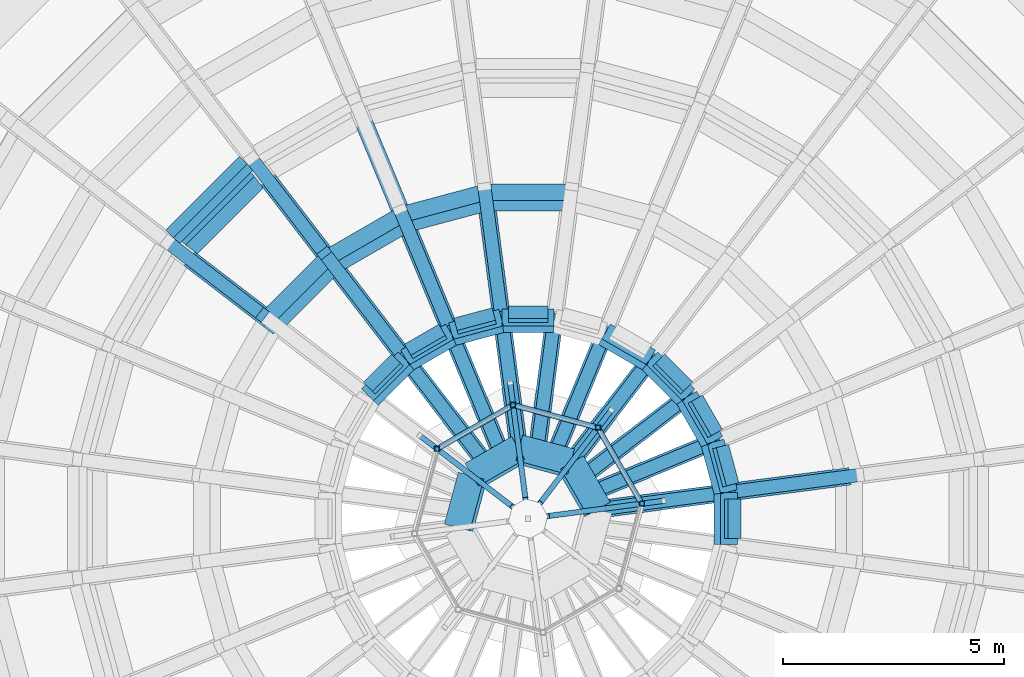
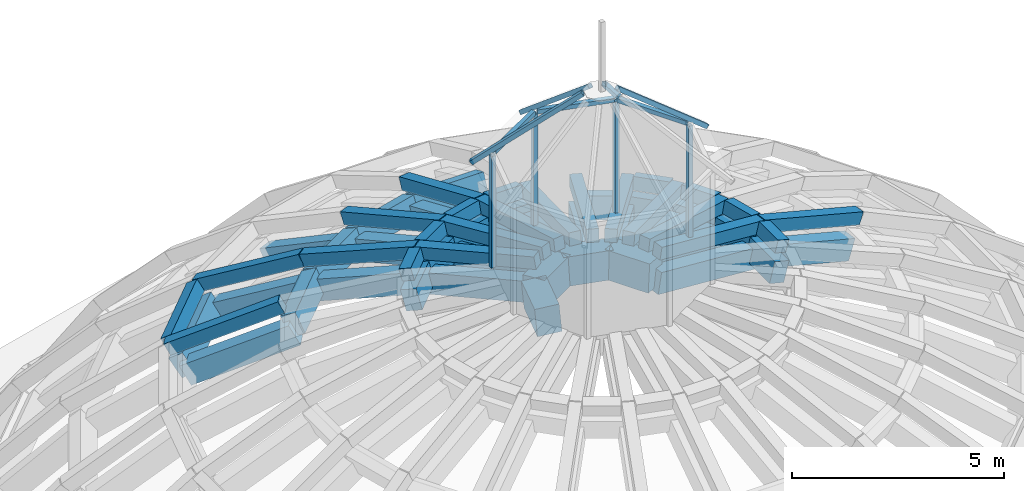
# One storey, part 15 of 29: 42 members, 27 beams.
"""IFC4 building model written with IfcOpenShell, lengths in metres."""

from ifc_helpers import new_model, si_unit, direction, frame, origin, origin_2d, place, context, subcontext, project, spatial, rectangle, hollow_rectangle, extrude, material, material_profile, profile_set, type_object, element, save


model = new_model("IFC4")

# Units and contexts
model_context = context("Model", 3, precision=1e-05, world=origin(), true_north=direction((0.0, 1.0)))
body_context = subcontext(model_context, "Body", "Model", "MODEL_VIEW")
ifc_project = project(units=[si_unit("LENGTHUNIT", "METRE"), si_unit("AREAUNIT", "SQUARE_METRE"), si_unit("VOLUMEUNIT", "CUBIC_METRE"), si_unit("PLANEANGLEUNIT", "RADIAN"), si_unit("MASSUNIT", "GRAM", prefix="KILO")], contexts=[model_context])

# Site, building, storey
site_placement = place(None, origin())
site = spatial("IfcSite", under=ifc_project, at=site_placement, CompositionType="ELEMENT")
building_placement = place(site_placement, origin())
building = spatial("IfcBuilding", under=site, at=building_placement, Name="Golden Quay Civic Hall", CompositionType="ELEMENT")
storey_placement = place(building_placement, frame((0.0, 0.0, 27.0)))
storey = spatial("IfcBuildingStorey", under=building, at=storey_placement, Name="L06", CompositionType="ELEMENT", Elevation=27.0)

# Beams
ifc_material_1 = material(Name="Concrete C40/50", Category="concrete")
ifc_material_profile_1 = material_profile(ifc_material_1, rectangle(XDim=0.60009765625, YDim=0.800048828125, at=origin_2d()), Name="RC 600x800")
ifc_profile_set_1 = profile_set([ifc_material_profile_1], Name="Concrete C40/50")
beam_type_1 = type_object("IfcBeamType", Name="Reinforced concrete dome compression ring 600x800", PredefinedType="BEAM", material=ifc_profile_set_1)
beam_1_placement = place(storey_placement, frame((87.073486328125, 85.70703125, 9.281005859375), z_axis=(-0.500029798012, 0.86600819921, 0.0), x_axis=(-0.862748248742, -0.49814751517, 0.086686287396)))
element("IfcBeam", 1, at=beam_1_placement, inside=storey, type_object=beam_type_1, Name="Dome compression ring segment 1", PredefinedType="BEAM", context=body_context, shape_type="SweptSolid", body=[
    extrude(rectangle(XDim=0.60009765625, YDim=0.800048828125, at=origin_2d()), origin(), (0.0, 0.0, 1.0), 1.21484375),
])
beam_2_placement = place(storey_placement, frame((86.466064453125, 86.759033203125, 9.281005859375), z_axis=(-0.965900486606, 0.258913595577, 0.0), x_axis=(-0.257938956425, -0.96226450747, 0.086686287396)))
element("IfcBeam", 2, at=beam_2_placement, inside=storey, type_object=beam_type_1, Name="Dome compression ring segment 2", PredefinedType="BEAM", context=body_context, shape_type="SweptSolid", body=[
    extrude(rectangle(XDim=0.60009765625, YDim=0.800048828125, at=origin_2d()), origin(), (0.0, 0.0, 1.0), 1.214599609375),
])
beam_3_placement = place(storey_placement, frame((85.29296875, 87.073486328125, 9.281005859375), z_axis=(-0.86600819921, -0.500029798012, 0.0), x_axis=(0.49814751517, -0.862748248742, 0.086686287396)))
element("IfcBeam", 3, at=beam_3_placement, inside=storey, type_object=beam_type_1, Name="Dome compression ring segment 3", PredefinedType="BEAM", context=body_context, shape_type="SweptSolid", body=[
    extrude(rectangle(XDim=0.60009765625, YDim=0.800048828125, at=origin_2d()), origin(), (0.0, 0.0, 1.0), 1.21484375),
])
beam_4_placement = place(storey_placement, frame((84.240966796875, 86.466064453125, 9.281005859375), z_axis=(-0.258913595577, -0.965900486606, 0.0), x_axis=(0.96226450747, -0.257938956425, 0.086686287396)))
element("IfcBeam", 4, at=beam_4_placement, inside=storey, type_object=beam_type_1, Name="Dome compression ring segment 4", PredefinedType="BEAM", context=body_context, shape_type="SweptSolid", body=[
    extrude(rectangle(XDim=0.60009765625, YDim=0.800048828125, at=origin_2d()), origin(), (0.0, 0.0, 1.0), 1.214599609375),
])

# Members
ifc_material_2 = material(Name="Concrete C40/50", Category="concrete")
ifc_material_profile_2 = material_profile(ifc_material_2, rectangle(XDim=0.39990234375, YDim=0.60009765625, at=origin_2d()), Name="RC 400x600")
ifc_profile_set_2 = profile_set([ifc_material_profile_2], Name="Concrete C40/50")
member_type_1 = type_object("IfcMemberType", Name="Reinforced concrete dome meridian rib 400x600", PredefinedType="STRUT", material=ifc_profile_set_2)
member_1_placement = place(storey_placement, frame((92.7060546875, 86.44873046875, 7.649169921875), z_axis=(-0.937594712982, -0.123428723032, 0.325086918407), x_axis=(0.130517915671, -0.991445950967, 0.0)))
element("IfcMember", 5, at=member_1_placement, inside=storey, type_object=member_type_1, Name="Dome meridian rib 1.5", PredefinedType="STRUT", context=body_context, shape_type="SweptSolid", body=[
    extrude(rectangle(XDim=0.39990234375, YDim=0.60009765625, at=origin_2d()), origin(), (0.0, 0.0, 1.0), 2.94921875),
])
member_2_placement = place(storey_placement, frame((89.94091796875, 86.084716796875, 8.60791015625), z_axis=(-0.977443538671, -0.1287090103, 0.167445869992), x_axis=(0.130552242018, -0.991441431505, 0.0)))
element("IfcMember", 6, at=member_2_placement, inside=storey, type_object=member_type_1, Name="Dome meridian rib 1.6", PredefinedType="STRUT", context=body_context, shape_type="SweptSolid", body=[
    extrude(rectangle(XDim=0.39990234375, YDim=0.60009765625, at=origin_2d()), origin(), (0.0, 0.0, 1.0), 2.94970703125),
])
member_3_placement = place(storey_placement, frame((89.63818359375, 87.214111328125, 8.60791015625), z_axis=(-0.910820958747, -0.377308182311, 0.167462582891), x_axis=(0.382712685396, -0.923867414966, 0.0)))
element("IfcMember", 7, at=member_3_placement, inside=storey, type_object=member_type_1, Name="Dome meridian rib 2.6", PredefinedType="STRUT", context=body_context, shape_type="SweptSolid", body=[
    extrude(rectangle(XDim=0.39990234375, YDim=0.60009765625, at=origin_2d()), origin(), (0.0, 0.0, 1.0), 2.94921875),
])
for number, where, z_axis, x_axis, name in (
    (8, (89.053466796875, 88.226806640625, 8.60791015625), (-0.782130354175, -0.600193374761, 0.167451551116), (0.608789293209, -0.793331958561, 0.0), "Dome meridian rib 3.6"),
    (9, (88.226806640625, 89.053466796875, 8.60791015625), (-0.600193374761, -0.782130354175, 0.167451551116), (0.793331958561, -0.608789293209, 0.0), "Dome meridian rib 4.6"),
):
    element("IfcMember", number, at=place(storey_placement, frame(where, z_axis=z_axis, x_axis=x_axis)), inside=storey, type_object=member_type_1, Name=name, PredefinedType="STRUT", context=body_context, shape_type="SweptSolid", body=[
        extrude(rectangle(XDim=0.39990234375, YDim=0.60009765625, at=origin_2d()), origin(), (0.0, 0.0, 1.0), 2.949462890625),
    ])
member_4_placement = place(storey_placement, frame((87.214111328125, 89.63818359375, 8.60791015625), z_axis=(-0.377308182311, -0.910820958747, 0.167462582891), x_axis=(0.923867414966, -0.382712685396, 0.0)))
element("IfcMember", 10, at=member_4_placement, inside=storey, type_object=member_type_1, Name="Dome meridian rib 5.6", PredefinedType="STRUT", context=body_context, shape_type="SweptSolid", body=[
    extrude(rectangle(XDim=0.39990234375, YDim=0.60009765625, at=origin_2d()), origin(), (0.0, 0.0, 1.0), 2.94921875),
])
member_5_placement = place(storey_placement, frame((86.084716796875, 89.94091796875, 8.60791015625), z_axis=(-0.1287090103, -0.977443538671, 0.167445869992), x_axis=(0.991441431505, -0.130552242018, 0.0)))
element("IfcMember", 11, at=member_5_placement, inside=storey, type_object=member_type_1, Name="Dome meridian rib 6.6", PredefinedType="STRUT", context=body_context, shape_type="SweptSolid", body=[
    extrude(rectangle(XDim=0.39990234375, YDim=0.60009765625, at=origin_2d()), origin(), (0.0, 0.0, 1.0), 2.94970703125),
])
member_6_placement = place(storey_placement, frame((84.55126953125, 92.7060546875, 7.649169921875), z_axis=(0.123428723032, -0.937594712982, 0.325086918407), x_axis=(0.991445950967, 0.130517915671, 0.0)))
element("IfcMember", 12, at=member_6_placement, inside=storey, type_object=member_type_1, Name="Dome meridian rib 7.5", PredefinedType="STRUT", context=body_context, shape_type="SweptSolid", body=[
    extrude(rectangle(XDim=0.39990234375, YDim=0.60009765625, at=origin_2d()), origin(), (0.0, 0.0, 1.0), 2.94921875),
])
member_7_placement = place(storey_placement, frame((84.915283203125, 89.94091796875, 8.60791015625), z_axis=(0.1287090103, -0.977443538671, 0.167445869992), x_axis=(0.991441431505, 0.130552242018, 0.0)))
element("IfcMember", 13, at=member_7_placement, inside=storey, type_object=member_type_1, Name="Dome meridian rib 7.6", PredefinedType="STRUT", context=body_context, shape_type="SweptSolid", body=[
    extrude(rectangle(XDim=0.39990234375, YDim=0.60009765625, at=origin_2d()), origin(), (0.0, 0.0, 1.0), 2.94970703125),
])
member_8_placement = place(storey_placement, frame((81.724853515625, 94.614013671875, 6.25048828125), z_axis=(0.336908735718, -0.813382122153, 0.474238365338), x_axis=(0.923881608957, 0.382678419342, 0.0)))
element("IfcMember", 14, at=member_8_placement, inside=storey, type_object=member_type_1, Name="Dome meridian rib 8.4", PredefinedType="STRUT", context=body_context, shape_type="SweptSolid", body=[
    extrude(rectangle(XDim=0.39990234375, YDim=0.60009765625, at=origin_2d()), origin(), (0.0, 0.0, 1.0), 2.94921875),
])
member_9_placement = place(storey_placement, frame((82.718505859375, 92.215087890625, 7.649169921875), z_axis=(0.361899031227, -0.87370637571, 0.325063471095), x_axis=(0.923880279895, 0.382681628015, 0.0)))
element("IfcMember", 15, at=member_9_placement, inside=storey, type_object=member_type_1, Name="Dome meridian rib 8.5", PredefinedType="STRUT", context=body_context, shape_type="SweptSolid", body=[
    extrude(rectangle(XDim=0.39990234375, YDim=0.60009765625, at=origin_2d()), origin(), (0.0, 0.0, 1.0), 2.949462890625),
])
member_10_placement = place(storey_placement, frame((83.785888671875, 89.63818359375, 8.60791015625), z_axis=(0.377308182311, -0.910820958747, 0.167462582891), x_axis=(0.923867414966, 0.382712685396, 0.0)))
element("IfcMember", 16, at=member_10_placement, inside=storey, type_object=member_type_1, Name="Dome meridian rib 8.6", PredefinedType="STRUT", context=body_context, shape_type="SweptSolid", body=[
    extrude(rectangle(XDim=0.39990234375, YDim=0.60009765625, at=origin_2d()), origin(), (0.0, 0.0, 1.0), 2.94921875),
])
member_11_placement = place(storey_placement, frame((79.49462890625, 93.326416015625, 6.25048828125), z_axis=(0.535972269565, -0.698460851057, 0.47422164206), x_axis=(0.793339950358, 0.608778878712, 0.0)))
element("IfcMember", 17, at=member_11_placement, inside=storey, type_object=member_type_1, Name="Dome meridian rib 9.4", PredefinedType="STRUT", context=body_context, shape_type="SweptSolid", body=[
    extrude(rectangle(XDim=0.39990234375, YDim=0.60009765625, at=origin_2d()), origin(), (0.0, 0.0, 1.0), 2.949462890625),
])
member_12_placement = place(storey_placement, frame((81.075439453125, 91.266357421875, 7.649169921875), z_axis=(0.575644222425, -0.750307626123, 0.325072600153), x_axis=(0.793397803954, 0.608703478453, 0.0)))
element("IfcMember", 18, at=member_12_placement, inside=storey, type_object=member_type_1, Name="Dome meridian rib 9.5", PredefinedType="STRUT", context=body_context, shape_type="SweptSolid", body=[
    extrude(rectangle(XDim=0.39990234375, YDim=0.60009765625, at=origin_2d()), origin(), (0.0, 0.0, 1.0), 2.94921875),
])
for number, where, z_axis, x_axis, name in (
    (19, (82.773193359375, 89.053466796875, 8.60791015625), (0.600193374761, -0.782130354175, 0.167451551116), (0.793331958561, 0.608789293209, 0.0), "Dome meridian rib 9.6"),
    (20, (77.673583984375, 91.50537109375, 6.25048828125), (0.698460851057, -0.535972269565, 0.47422164206), (0.608778878712, 0.793339950358, 0.0), "Dome meridian rib 10.4"),
):
    element("IfcMember", number, at=place(storey_placement, frame(where, z_axis=z_axis, x_axis=x_axis)), inside=storey, type_object=member_type_1, Name=name, PredefinedType="STRUT", context=body_context, shape_type="SweptSolid", body=[
        extrude(rectangle(XDim=0.39990234375, YDim=0.60009765625, at=origin_2d()), origin(), (0.0, 0.0, 1.0), 2.949462890625),
    ])
ifc_material_3 = material(Name="Concrete C40/50", Category="concrete")
ifc_material_profile_3 = material_profile(ifc_material_3, rectangle(XDim=0.300048828125, YDim=0.35009765625, at=origin_2d()), Name="RC 300x350")
ifc_profile_set_3 = profile_set([ifc_material_profile_3], Name="Concrete C40/50")
member_type_2 = type_object("IfcMemberType", Name="Reinforced concrete dome outer rib 300x350", PredefinedType="STRUT", material=ifc_profile_set_3)
for number, where, z_axis, x_axis, name in (
    (21, (93.026123046875, 86.49072265625, 8.386474609375), (-0.937591847923, -0.123400719122, 0.325105812357), (0.130489199571, -0.991449730846, 0.0), "Dome outer rib 1.5"),
    (22, (90.137939453125, 86.110595703125, 9.387939453125), (-0.977436972239, -0.128718589273, 0.167476834442), (0.130562654715, -0.991440060313, 0.0), "Dome outer rib 1.6"),
):
    element("IfcMember", number, at=place(storey_placement, frame(where, z_axis=z_axis, x_axis=x_axis)), inside=storey, type_object=member_type_2, Name=name, PredefinedType="STRUT", context=body_context, shape_type="SweptSolid", body=[
        extrude(rectangle(XDim=0.300048828125, YDim=0.35009765625, at=origin_2d()), origin(), (0.0, 0.0, 1.0), 3.080322265625),
    ])
member_13_placement = place(storey_placement, frame((89.822021484375, 87.290283203125, 9.387939453125), z_axis=(-0.91084882311, -0.377241833986, 0.167460503196), x_axis=(0.3826452496, -0.923895347406, 0.0)))
element("IfcMember", 23, at=member_13_placement, inside=storey, type_object=member_type_2, Name="Dome outer rib 2.6", PredefinedType="STRUT", context=body_context, shape_type="SweptSolid", body=[
    extrude(rectangle(XDim=0.300048828125, YDim=0.35009765625, at=origin_2d()), origin(), (0.0, 0.0, 1.0), 3.08056640625),
])
for number, where, z_axis, x_axis, name in (
    (24, (89.211181640625, 88.347900390625, 9.387939453125), (-0.782109946865, -0.600214696758, 0.167470441602), (0.608812902072, -0.793313840968, 0.0), "Dome outer rib 3.6"),
    (25, (88.347900390625, 89.211181640625, 9.387939453125), (-0.600214696758, -0.782109946865, 0.167470441602), (0.793313840968, -0.608812902072, 0.0), "Dome outer rib 4.6"),
):
    element("IfcMember", number, at=place(storey_placement, frame(where, z_axis=z_axis, x_axis=x_axis)), inside=storey, type_object=member_type_2, Name=name, PredefinedType="STRUT", context=body_context, shape_type="SweptSolid", body=[
        extrude(rectangle(XDim=0.300048828125, YDim=0.35009765625, at=origin_2d()), origin(), (0.0, 0.0, 1.0), 3.080322265625),
    ])
member_14_placement = place(storey_placement, frame((87.290283203125, 89.822021484375, 9.387939453125), z_axis=(-0.377241833986, -0.91084882311, 0.167460503196), x_axis=(0.923895347406, -0.3826452496, 0.0)))
element("IfcMember", 26, at=member_14_placement, inside=storey, type_object=member_type_2, Name="Dome outer rib 5.6", PredefinedType="STRUT", context=body_context, shape_type="SweptSolid", body=[
    extrude(rectangle(XDim=0.300048828125, YDim=0.35009765625, at=origin_2d()), origin(), (0.0, 0.0, 1.0), 3.08056640625),
])
for number, where, z_axis, x_axis, name in (
    (27, (86.110595703125, 90.137939453125, 9.387939453125), (-0.128718589273, -0.977436972239, 0.167476834442), (0.991440060313, -0.130562654715, 0.0), "Dome outer rib 6.6"),
    (28, (84.50927734375, 93.026123046875, 8.386474609375), (0.123400719122, -0.937591847923, 0.325105812357), (0.991449730846, 0.130489199571, 0.0), "Dome outer rib 7.5"),
    (29, (84.889404296875, 90.137939453125, 9.387939453125), (0.128718589273, -0.977436972239, 0.167476834442), (0.991440060313, 0.130562654715, 0.0), "Dome outer rib 7.6"),
    (30, (82.594970703125, 92.51318359375, 8.386474609375), (0.361901096187, -0.873682825945, 0.325124462671), (0.923875860939, 0.382692296203, 0.0), "Dome outer rib 8.5"),
):
    element("IfcMember", number, at=place(storey_placement, frame(where, z_axis=z_axis, x_axis=x_axis)), inside=storey, type_object=member_type_2, Name=name, PredefinedType="STRUT", context=body_context, shape_type="SweptSolid", body=[
        extrude(rectangle(XDim=0.300048828125, YDim=0.35009765625, at=origin_2d()), origin(), (0.0, 0.0, 1.0), 3.080322265625),
    ])
member_15_placement = place(storey_placement, frame((83.709716796875, 89.822021484375, 9.387939453125), z_axis=(0.377241833986, -0.91084882311, 0.167460503196), x_axis=(0.923895347406, 0.3826452496, 0.0)))
element("IfcMember", 31, at=member_15_placement, inside=storey, type_object=member_type_2, Name="Dome outer rib 8.6", PredefinedType="STRUT", context=body_context, shape_type="SweptSolid", body=[
    extrude(rectangle(XDim=0.300048828125, YDim=0.35009765625, at=origin_2d()), origin(), (0.0, 0.0, 1.0), 3.08056640625),
])
member_16_placement = place(storey_placement, frame((79.227783203125, 93.674072265625, 6.926025390625), z_axis=(0.53601815776, -0.698495937356, 0.474118086607), x_axis=(0.793329547555, 0.608792435052, 0.0)))
element("IfcMember", 32, at=member_16_placement, inside=storey, type_object=member_type_2, Name="Dome outer rib 9.4", PredefinedType="STRUT", context=body_context, shape_type="SweptSolid", body=[
    extrude(rectangle(XDim=0.300048828125, YDim=0.35009765625, at=origin_2d()), origin(), (0.0, 0.0, 1.0), 3.080322265625),
])
member_17_placement = place(storey_placement, frame((80.87890625, 91.5224609375, 8.386474609375), z_axis=(0.575628443439, -0.750306274823, 0.325103658955), x_axis=(0.793405332545, 0.608693665393, 0.0)))
element("IfcMember", 33, at=member_17_placement, inside=storey, type_object=member_type_2, Name="Dome outer rib 9.5", PredefinedType="STRUT", context=body_context, shape_type="SweptSolid", body=[
    extrude(rectangle(XDim=0.300048828125, YDim=0.35009765625, at=origin_2d()), origin(), (0.0, 0.0, 1.0), 3.08056640625),
])
for number, where, z_axis, x_axis, name in (
    (34, (82.652099609375, 89.211181640625, 9.387939453125), (0.600214696758, -0.782109946865, 0.167470441602), (0.793313840968, 0.608812902072, 0.0), "Dome outer rib 9.6"),
    (35, (77.325927734375, 91.772216796875, 6.926025390625), (0.698495937356, -0.53601815776, 0.474118086607), (0.608792435052, 0.793329547555, 0.0), "Dome outer rib 10.4"),
):
    element("IfcMember", number, at=place(storey_placement, frame(where, z_axis=z_axis, x_axis=x_axis)), inside=storey, type_object=member_type_2, Name=name, PredefinedType="STRUT", context=body_context, shape_type="SweptSolid", body=[
        extrude(rectangle(XDim=0.300048828125, YDim=0.35009765625, at=origin_2d()), origin(), (0.0, 0.0, 1.0), 3.080322265625),
    ])

# Beams
ifc_material_4 = material(Name="Concrete C40/50", Category="concrete")
ifc_material_profile_4 = material_profile(ifc_material_4, rectangle(XDim=0.300048828125, YDim=0.35009765625, at=origin_2d()), Name="RC 300x350")
ifc_profile_set_4 = profile_set([ifc_material_profile_4], Name="Concrete C40/50")
beam_type_2 = type_object("IfcBeamType", Name="Reinforced concrete dome outer ring beam 300x350", PredefinedType="BEAM", material=ifc_profile_set_4)
beam_5_placement = place(storey_placement, frame((79.11376953125, 93.559814453125, 6.926025390625), z_axis=(-0.707106781187, -0.707106781187, 0.0), x_axis=(0.593227182039, -0.593227182039, 0.544208618988)))
element("IfcBeam", 36, at=beam_5_placement, inside=storey, type_object=beam_type_2, Name="Dome outer ring beam segment 9", PredefinedType="BEAM", context=body_context, shape_type="SweptSolid", body=[
    extrude(rectangle(XDim=0.300048828125, YDim=0.35009765625, at=origin_2d()), origin(), (0.0, 0.0, 1.0), 2.36669921875),
])
beam_6_placement = place(storey_placement, frame((90.09619140625, 86.266357421875, 9.387939453125), z_axis=(-0.258609351425, 0.965981989147, 0.0), x_axis=(-0.936028419209, -0.250590285458, 0.247093721627)))
element("IfcBeam", 37, at=beam_6_placement, inside=storey, type_object=beam_type_2, Name="Dome crown outer ring beam segment 1", PredefinedType="BEAM", context=body_context, shape_type="SweptSolid", body=[
    extrude(rectangle(XDim=0.300048828125, YDim=0.35009765625, at=origin_2d()), origin(), (0.0, 0.0, 1.0), 0.898681640625),
])
beam_7_placement = place(storey_placement, frame((89.7412109375, 87.429931640625, 9.387939453125), z_axis=(-0.499996880198, 0.866027204995, 0.0), x_axis=(-0.839173074438, -0.484492769679, 0.247093721627)))
element("IfcBeam", 38, at=beam_7_placement, inside=storey, type_object=beam_type_2, Name="Dome crown outer ring beam segment 2", PredefinedType="BEAM", context=body_context, shape_type="SweptSolid", body=[
    extrude(rectangle(XDim=0.300048828125, YDim=0.35009765625, at=origin_2d()), origin(), (0.0, 0.0, 1.0), 0.8984375),
])
beam_8_placement = place(storey_placement, frame((89.097412109375, 88.4619140625, 9.387939453125), z_axis=(-0.707106781187, 0.707106781187, 0.0), x_axis=(-0.685180521006, -0.685180521006, 0.247093721627)))
element("IfcBeam", 39, at=beam_8_placement, inside=storey, type_object=beam_type_2, Name="Dome crown outer ring beam segment 3", PredefinedType="BEAM", context=body_context, shape_type="SweptSolid", body=[
    extrude(rectangle(XDim=0.300048828125, YDim=0.35009765625, at=origin_2d()), origin(), (0.0, 0.0, 1.0), 0.898681640625),
])
beam_9_placement = place(storey_placement, frame((85.94921875, 90.137939453125, 9.387939453125), z_axis=(-1.0, 0.0, 0.0), x_axis=(0.0, -0.968991585481, 0.247093721627)))
element("IfcBeam", 40, at=beam_9_placement, inside=storey, type_object=beam_type_2, Name="Dome crown outer ring beam segment 6", PredefinedType="BEAM", context=body_context, shape_type="SweptSolid", body=[
    extrude(rectangle(XDim=0.300048828125, YDim=0.35009765625, at=origin_2d()), origin(), (0.0, 0.0, 1.0), 0.8984375),
])
beam_10_placement = place(storey_placement, frame((84.733642578125, 90.09619140625, 9.387939453125), z_axis=(-0.965981989147, -0.258609351425, 0.0), x_axis=(0.250590285458, -0.936028419209, 0.247093721627)))
element("IfcBeam", 41, at=beam_10_placement, inside=storey, type_object=beam_type_2, Name="Dome crown outer ring beam segment 7", PredefinedType="BEAM", context=body_context, shape_type="SweptSolid", body=[
    extrude(rectangle(XDim=0.300048828125, YDim=0.35009765625, at=origin_2d()), origin(), (0.0, 0.0, 1.0), 0.898681640625),
])
beam_11_placement = place(storey_placement, frame((83.570068359375, 89.7412109375, 9.387939453125), z_axis=(-0.866027204995, -0.499996880198, 0.0), x_axis=(0.484492769679, -0.839173074438, 0.247093721627)))
element("IfcBeam", 42, at=beam_11_placement, inside=storey, type_object=beam_type_2, Name="Dome crown outer ring beam segment 8", PredefinedType="BEAM", context=body_context, shape_type="SweptSolid", body=[
    extrude(rectangle(XDim=0.300048828125, YDim=0.35009765625, at=origin_2d()), origin(), (0.0, 0.0, 1.0), 0.8984375),
])
beam_12_placement = place(storey_placement, frame((82.5380859375, 89.097412109375, 9.387939453125), z_axis=(-0.707106781187, -0.707106781187, 0.0), x_axis=(0.685180521006, -0.685180521006, 0.247093721627)))
element("IfcBeam", 43, at=beam_12_placement, inside=storey, type_object=beam_type_2, Name="Dome crown outer ring beam segment 9", PredefinedType="BEAM", context=body_context, shape_type="SweptSolid", body=[
    extrude(rectangle(XDim=0.300048828125, YDim=0.35009765625, at=origin_2d()), origin(), (0.0, 0.0, 1.0), 0.898681640625),
])
beam_13_placement = place(storey_placement, frame((90.137939453125, 85.05078125, 9.387939453125), z_axis=(0.0, 1.0, 0.0), x_axis=(-0.968991585481, 0.0, 0.247093721627)))
element("IfcBeam", 44, at=beam_13_placement, inside=storey, type_object=beam_type_2, Name="Dome crown outer ring beam segment 24", PredefinedType="BEAM", context=body_context, shape_type="SweptSolid", body=[
    extrude(rectangle(XDim=0.300048828125, YDim=0.35009765625, at=origin_2d()), origin(), (0.0, 0.0, 1.0), 0.8984375),
])
ifc_material_5 = material(Name="Concrete C40/50", Category="concrete")
ifc_material_profile_5 = material_profile(ifc_material_5, rectangle(XDim=0.39990234375, YDim=0.60009765625, at=origin_2d()), Name="RC 400x600")
ifc_profile_set_5 = profile_set([ifc_material_profile_5], Name="Concrete C40/50")
beam_type_3 = type_object("IfcBeamType", Name="Reinforced concrete dome ring rib 400x600", PredefinedType="BEAM", material=ifc_profile_set_5)
beam_14_placement = place(storey_placement, frame((79.434814453125, 93.404052734375, 6.401611328125), z_axis=(-0.707106781187, -0.707106781187, 0.0), x_axis=(0.593227182039, -0.593227182039, 0.544208618988)))
element("IfcBeam", 45, at=beam_14_placement, inside=storey, type_object=beam_type_3, Name="Dome ring rib 3.9", PredefinedType="BEAM", context=body_context, shape_type="SweptSolid", body=[
    extrude(rectangle(XDim=0.39990234375, YDim=0.60009765625, at=origin_2d()), origin(), (0.0, 0.0, 1.0), 2.6005859375),
])
beam_15_placement = place(storey_placement, frame((86.4580078125, 92.777587890625, 7.81396484375), z_axis=(-1.0, 0.0, 0.0), x_axis=(0.0, -0.916096306706, 0.40095829813)))
element("IfcBeam", 46, at=beam_15_placement, inside=storey, type_object=beam_type_3, Name="Dome ring rib 4.6", PredefinedType="BEAM", context=body_context, shape_type="SweptSolid", body=[
    extrude(rectangle(XDim=0.39990234375, YDim=0.60009765625, at=origin_2d()), origin(), (0.0, 0.0, 1.0), 1.916015625),
])
for number, where, z_axis, x_axis, name in (
    (47, (84.5419921875, 92.777587890625, 7.81396484375), (-0.965944639942, -0.258748821383, 0.0), (0.237038839633, -0.884898317134, 0.40095829813), "Dome ring rib 4.7"),
    (48, (82.69091796875, 92.28173828125, 7.81396484375), (-0.865984012091, -0.500071685664, 0.0), (0.458113824325, -0.793324755143, 0.40095829813), "Dome ring rib 4.8"),
    (49, (81.031494140625, 91.323486328125, 7.81396484375), (-0.707106781187, -0.707106781187, 0.0), (0.647777910692, -0.647777910692, 0.40095829813), "Dome ring rib 4.9"),
):
    element("IfcBeam", number, at=place(storey_placement, frame(where, z_axis=z_axis, x_axis=x_axis)), inside=storey, type_object=beam_type_3, Name=name, PredefinedType="BEAM", context=body_context, shape_type="SweptSolid", body=[
        extrude(rectangle(XDim=0.39990234375, YDim=0.60009765625, at=origin_2d()), origin(), (0.0, 0.0, 1.0), 1.916259765625),
    ])
beam_16_placement = place(storey_placement, frame((89.98486328125, 86.09033203125, 8.7822265625), z_axis=(-0.258794633734, 0.965932366965, 0.0), x_axis=(-0.935980335732, -0.250769822456, 0.247093721627)))
element("IfcBeam", 50, at=beam_16_placement, inside=storey, type_object=beam_type_3, Name="Dome ring rib 5.1", PredefinedType="BEAM", context=body_context, shape_type="SweptSolid", body=[
    extrude(rectangle(XDim=0.39990234375, YDim=0.60009765625, at=origin_2d()), origin(), (0.0, 0.0, 1.0), 1.18115234375),
])
for number, where, z_axis, x_axis, name in (
    (51, (89.67919921875, 87.231201171875, 8.7822265625), (-0.499919322631, 0.866071977875, 0.0), (-0.839216458981, -0.484417617049, 0.247093721627), "Dome ring rib 5.2"),
    (52, (89.0888671875, 88.25390625, 8.7822265625), (-0.707106781187, 0.707106781187, 0.0), (-0.685180521006, -0.685180521006, 0.247093721627), "Dome ring rib 5.3"),
    (53, (88.25390625, 89.0888671875, 8.7822265625), (-0.866071977875, 0.499919322631, 0.0), (-0.484417617049, -0.839216458981, 0.247093721627), "Dome ring rib 5.4"),
):
    element("IfcBeam", number, at=place(storey_placement, frame(where, z_axis=z_axis, x_axis=x_axis)), inside=storey, type_object=beam_type_3, Name=name, PredefinedType="BEAM", context=body_context, shape_type="SweptSolid", body=[
        extrude(rectangle(XDim=0.39990234375, YDim=0.60009765625, at=origin_2d()), origin(), (0.0, 0.0, 1.0), 1.180908203125),
    ])
beam_17_placement = place(storey_placement, frame((86.09033203125, 89.98486328125, 8.7822265625), z_axis=(-1.0, 0.0, 0.0), x_axis=(0.0, -0.968991585481, 0.247093721627)))
element("IfcBeam", 54, at=beam_17_placement, inside=storey, type_object=beam_type_3, Name="Dome ring rib 5.6", PredefinedType="BEAM", context=body_context, shape_type="SweptSolid", body=[
    extrude(rectangle(XDim=0.39990234375, YDim=0.60009765625, at=origin_2d()), origin(), (0.0, 0.0, 1.0), 1.1806640625),
])
beam_18_placement = place(storey_placement, frame((84.90966796875, 89.98486328125, 8.7822265625), z_axis=(-0.965932366965, -0.258794633734, 0.0), x_axis=(0.250769822456, -0.935980335732, 0.247093721627)))
element("IfcBeam", 55, at=beam_18_placement, inside=storey, type_object=beam_type_3, Name="Dome ring rib 5.7", PredefinedType="BEAM", context=body_context, shape_type="SweptSolid", body=[
    extrude(rectangle(XDim=0.39990234375, YDim=0.60009765625, at=origin_2d()), origin(), (0.0, 0.0, 1.0), 1.18115234375),
])
for number, where, z_axis, x_axis, name in (
    (56, (83.768798828125, 89.67919921875, 8.7822265625), (-0.866071977875, -0.499919322631, 0.0), (0.484417617049, -0.839216458981, 0.247093721627), "Dome ring rib 5.8"),
    (57, (82.74609375, 89.0888671875, 8.7822265625), (-0.707106781187, -0.707106781187, 0.0), (0.685180521006, -0.685180521006, 0.247093721627), "Dome ring rib 5.9"),
):
    element("IfcBeam", number, at=place(storey_placement, frame(where, z_axis=z_axis, x_axis=x_axis)), inside=storey, type_object=beam_type_3, Name=name, PredefinedType="BEAM", context=body_context, shape_type="SweptSolid", body=[
        extrude(rectangle(XDim=0.39990234375, YDim=0.60009765625, at=origin_2d()), origin(), (0.0, 0.0, 1.0), 1.180908203125),
    ])
beam_19_placement = place(storey_placement, frame((89.98486328125, 84.90966796875, 8.7822265625), z_axis=(0.0, 1.0, 0.0), x_axis=(-0.968991585481, 0.0, 0.247093721627)))
element("IfcBeam", 58, at=beam_19_placement, inside=storey, type_object=beam_type_3, Name="Dome ring rib 5.24", PredefinedType="BEAM", context=body_context, shape_type="SweptSolid", body=[
    extrude(rectangle(XDim=0.39990234375, YDim=0.60009765625, at=origin_2d()), origin(), (0.0, 0.0, 1.0), 1.1806640625),
])

# Members
ifc_material_6 = material(Name="Steel S355", Category="steel")
ifc_material_profile_6 = material_profile(ifc_material_6, hollow_rectangle(XDim=0.1201171875, YDim=0.1201171875, WallThickness=0.008056640625, at=origin_2d()), Name="SHS 120x120x8")
ifc_profile_set_6 = profile_set([ifc_material_profile_6], Name="Steel S355")
member_type_3 = type_object("IfcMemberType", Name="Steel lantern hip rafter SHS 120x120x8", PredefinedType="RAFTER", material=ifc_profile_set_6)
member_18_placement = place(storey_placement, frame((88.573486328125, 85.904541015625, 12.879150390625), z_axis=(-0.760160192281, -0.10009729509, 0.6419789822), x_axis=(0.13055222668, -0.991441433524, 0.0)))
element("IfcMember", 59, at=member_18_placement, inside=storey, type_object=member_type_3, Name="Lantern hip rafter 1", PredefinedType="RAFTER", context=body_context, shape_type="SweptSolid", body=[
    extrude(hollow_rectangle(XDim=0.1201171875, YDim=0.1201171875, WallThickness=0.008056640625, at=origin_2d()), origin(), (0.0, 0.0, 1.0), 3.4560546875),
])
member_19_placement = place(storey_placement, frame((87.38720703125, 87.95947265625, 12.879150390625), z_axis=(-0.466761711495, -0.608315959352, 0.64193862501), x_axis=(0.793363129336, -0.608748671465, 0.0)))
element("IfcMember", 60, at=member_19_placement, inside=storey, type_object=member_type_3, Name="Lantern hip rafter 2", PredefinedType="RAFTER", context=body_context, shape_type="SweptSolid", body=[
    extrude(hollow_rectangle(XDim=0.1201171875, YDim=0.1201171875, WallThickness=0.008056640625, at=origin_2d()), origin(), (0.0, 0.0, 1.0), 3.456298828125),
])
member_20_placement = place(storey_placement, frame((85.095458984375, 88.573486328125, 12.879150390625), z_axis=(0.10009729509, -0.760160192281, 0.6419789822), x_axis=(0.991441433524, 0.13055222668, 0.0)))
element("IfcMember", 61, at=member_20_placement, inside=storey, type_object=member_type_3, Name="Lantern hip rafter 3", PredefinedType="RAFTER", context=body_context, shape_type="SweptSolid", body=[
    extrude(hollow_rectangle(XDim=0.1201171875, YDim=0.1201171875, WallThickness=0.008056640625, at=origin_2d()), origin(), (0.0, 0.0, 1.0), 3.4560546875),
])
member_21_placement = place(storey_placement, frame((83.04052734375, 87.38720703125, 12.879150390625), z_axis=(0.608315959352, -0.466761711495, 0.64193862501), x_axis=(0.608748671465, 0.793363129336, 0.0)))
element("IfcMember", 62, at=member_21_placement, inside=storey, type_object=member_type_3, Name="Lantern hip rafter 4", PredefinedType="RAFTER", context=body_context, shape_type="SweptSolid", body=[
    extrude(hollow_rectangle(XDim=0.1201171875, YDim=0.1201171875, WallThickness=0.008056640625, at=origin_2d()), origin(), (0.0, 0.0, 1.0), 3.456298828125),
])
ifc_material_7 = material(Name="Steel S355", Category="steel")
ifc_material_profile_7 = material_profile(ifc_material_7, hollow_rectangle(XDim=0.1201171875, YDim=0.1201171875, WallThickness=0.008056640625, at=origin_2d()), Name="SHS 120x120x8")
ifc_profile_set_7 = profile_set([ifc_material_profile_7], Name="Steel S355")
member_type_4 = type_object("IfcMemberType", Name="Steel lantern post SHS 120x120x8", PredefinedType="POST", material=ifc_profile_set_7)
for number, where, z_axis, x_axis, name in (
    (63, (88.077880859375, 85.83935546875, 9.917724609375), (0.0, 0.0, 1.0), (1.0, 0.0, 0.0), "Lantern post 1"),
    (64, (87.082763671875, 87.562744140625, 9.917724609375), (0.0, 0.0, 1.0), (1.0, 0.0, 0.0), "Lantern post 2"),
    (65, (85.16064453125, 88.077880859375, 9.917724609375), (0.0, 0.0, 1.0), (1.0, 0.0, 0.0), "Lantern post 3"),
    (66, (83.437255859375, 87.082763671875, 9.917724609375), (0.0, 0.0, 1.0), (1.0, 0.0, 0.0), "Lantern post 4"),
):
    element("IfcMember", number, at=place(storey_placement, frame(where, z_axis=z_axis, x_axis=x_axis)), inside=storey, type_object=member_type_4, Name=name, PredefinedType="POST", context=body_context, shape_type="SweptSolid", body=[
        extrude(hollow_rectangle(XDim=0.1201171875, YDim=0.1201171875, WallThickness=0.008056640625, at=origin_2d()), origin(), (0.0, 0.0, 1.0), 3.2001953125),
    ])
ifc_material_8 = material(Name="Steel S355", Category="steel")
ifc_material_profile_8 = material_profile(ifc_material_8, hollow_rectangle(XDim=0.1201171875, YDim=0.1201171875, WallThickness=0.008056640625, at=origin_2d()), Name="SHS 120x120x8")
ifc_profile_set_8 = profile_set([ifc_material_profile_8], Name="Steel S355")
member_type_5 = type_object("IfcMemberType", Name="Steel lantern ring member SHS 120x120x8", PredefinedType="STRUT", material=ifc_profile_set_8)
member_22_placement = place(storey_placement, frame((88.0478515625, 85.891357421875, 13.177734375), z_axis=(-0.500042659475, 0.866000772924, 0.0), x_axis=(-0.866000772924, -0.500042659475, 0.0)))
element("IfcMember", 67, at=member_22_placement, inside=storey, type_object=member_type_5, Name="Lantern ring member 1", PredefinedType="STRUT", context=body_context, shape_type="SweptSolid", body=[
    extrude(hollow_rectangle(XDim=0.1201171875, YDim=0.1201171875, WallThickness=0.008056640625, at=origin_2d()), origin(), (0.0, 0.0, 1.0), 1.869873046875),
])
member_23_placement = place(storey_placement, frame((87.02490234375, 87.578125, 13.177734375), z_axis=(-0.965911336589, 0.258873115347, 0.0), x_axis=(-0.258873115347, -0.965911336589, 0.0)))
element("IfcMember", 68, at=member_23_placement, inside=storey, type_object=member_type_5, Name="Lantern ring member 2", PredefinedType="STRUT", context=body_context, shape_type="SweptSolid", body=[
    extrude(hollow_rectangle(XDim=0.1201171875, YDim=0.1201171875, WallThickness=0.008056640625, at=origin_2d()), origin(), (0.0, 0.0, 1.0), 1.8701171875),
])
member_24_placement = place(storey_placement, frame((85.108642578125, 88.0478515625, 13.177734375), z_axis=(-0.866000772924, -0.500042659475, 0.0), x_axis=(0.500042659475, -0.866000772924, 0.0)))
element("IfcMember", 69, at=member_24_placement, inside=storey, type_object=member_type_5, Name="Lantern ring member 3", PredefinedType="STRUT", context=body_context, shape_type="SweptSolid", body=[
    extrude(hollow_rectangle(XDim=0.1201171875, YDim=0.1201171875, WallThickness=0.008056640625, at=origin_2d()), origin(), (0.0, 0.0, 1.0), 1.869873046875),
])

save(model, "model.ifc")
